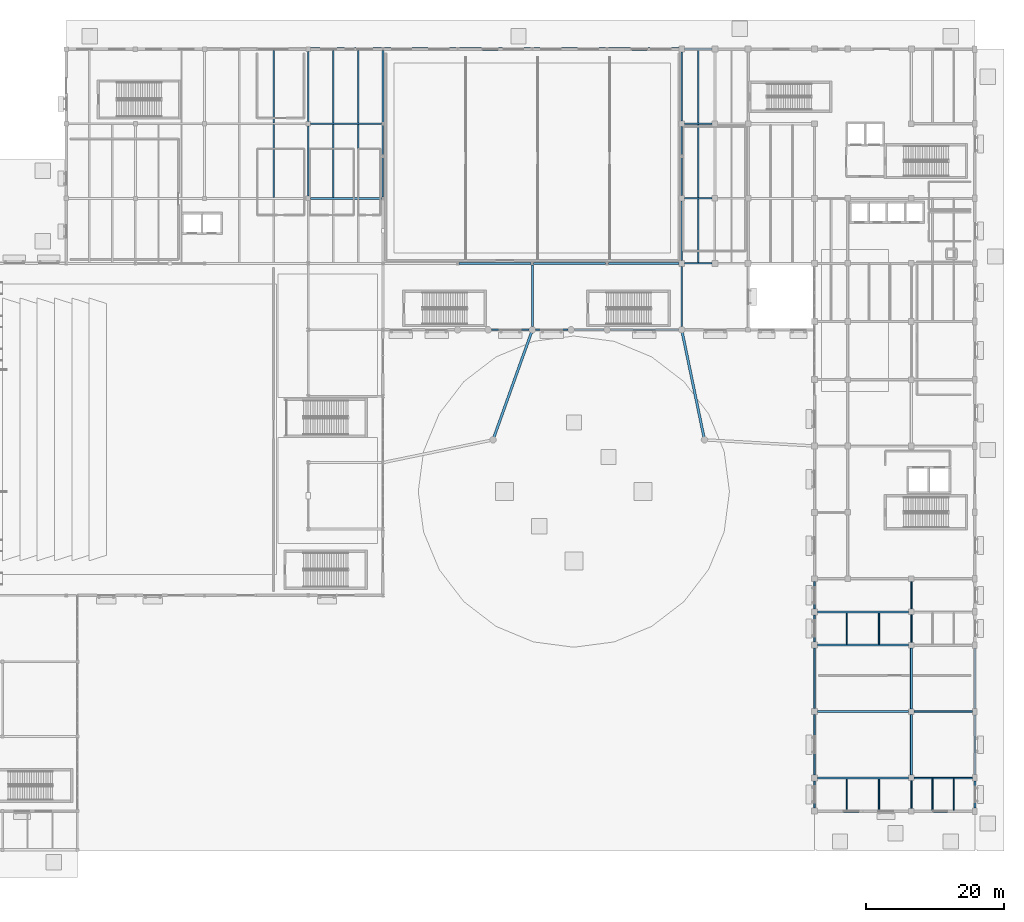
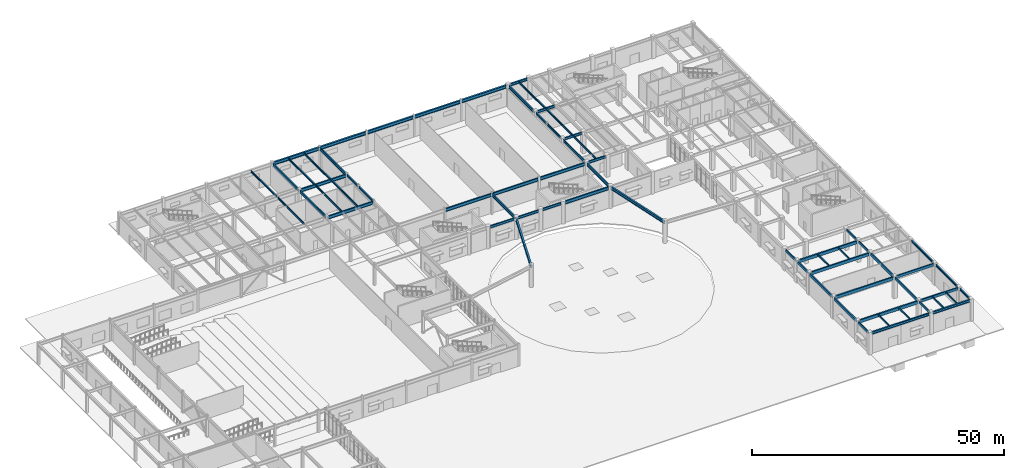
# One storey, part 17 of 54: 67 beams.
"""IFC4 building model written with IfcOpenShell, lengths in metres."""

from ifc_helpers import new_model, si_unit, direction, frame, origin, origin_2d, place, context, subcontext, project, spatial, rectangle, i_section, extrude, material, material_profile, profile_set, type_object, element, save


model = new_model("IFC4")

# Units and contexts
model_context = context("Model", 3, precision=1e-05, world=origin(), true_north=direction((0.0, 1.0)))
body_context = subcontext(model_context, "Body", "Model", "MODEL_VIEW")
ifc_project = project(units=[si_unit("LENGTHUNIT", "METRE"), si_unit("AREAUNIT", "SQUARE_METRE"), si_unit("VOLUMEUNIT", "CUBIC_METRE"), si_unit("PLANEANGLEUNIT", "RADIAN"), si_unit("MASSUNIT", "GRAM", prefix="KILO")], contexts=[model_context])

# Site, building, storey
site_placement = place(None, origin())
site = spatial("IfcSite", under=ifc_project, at=site_placement, CompositionType="ELEMENT")
building_placement = place(site_placement, origin())
building = spatial("IfcBuilding", under=site, at=building_placement, Name="Veldera Park Congress Hotel", CompositionType="ELEMENT")
storey_placement = place(building_placement, origin())
storey = spatial("IfcBuildingStorey", under=building, at=storey_placement, Name="L00", CompositionType="ELEMENT", Elevation=0.0)

# Beams
ifc_material_1 = material(Name="Glulam GL28h (NDS 24F-V4)", Category="wood")
ifc_material_profile_1 = material_profile(ifc_material_1, rectangle(XDim=0.239990234375, YDim=0.5400390625, at=origin_2d()), Name="GL28h 240x540")
ifc_profile_set_1 = profile_set([ifc_material_profile_1], Name="Glulam GL28h (NDS 24F-V4)")
beam_type_1 = type_object("IfcBeamType", Name="BM-GL540", PredefinedType="BEAM", material=ifc_profile_set_1)
for number, where, z_axis, x_axis, name in (
    (1, (60.800048828125, -51.77490234375, 4.85009765625), (0.0, 1.0, 0.0), (-1.0, 0.0, 0.0), "L00 Girder BM-GL540 451"),
    (2, (60.800048828125, -27.77490234375, 4.85009765625), (0.0, 1.0, 0.0), (-1.0, 0.0, 0.0), "L00 Girder BM-GL540 454"),
):
    element("IfcBeam", number, at=place(storey_placement, frame(where, z_axis=z_axis, x_axis=x_axis)), inside=storey, type_object=beam_type_1, Name=name, PredefinedType="BEAM", context=body_context, shape_type="SweptSolid", body=[
        extrude(rectangle(XDim=0.239990234375, YDim=0.5400390625, at=origin_2d()), origin(), (0.0, 0.0, 1.0), 3.949951171875),
    ])
beam_1_placement = place(storey_placement, frame((60.800048828125, -22.97509765625, 4.85009765625), z_axis=(0.0, 1.0, 0.0), x_axis=(-1.0, 0.0, 0.0)))
element("IfcBeam", 3, at=beam_1_placement, inside=storey, type_object=beam_type_1, Name="L00 Girder BM-GL540 455", PredefinedType="BEAM", context=body_context, shape_type="SweptSolid", body=[
    extrude(rectangle(XDim=0.239990234375, YDim=0.5400390625, at=origin_2d()), origin(), (0.0, 0.0, 1.0), 3.9501953125),
])
for number, where, z_axis, x_axis, name in (
    (4, (74.800048828125, -51.800048828125, 4.85009765625), (0.0, 1.0, 0.0), (-1.0, 0.0, 0.0), "L00 Girder BM-GL540 469"),
    (5, (74.800048828125, -27.800048828125, 4.85009765625), (0.0, 1.0, 0.0), (-1.0, 0.0, 0.0), "L00 Girder BM-GL540 472"),
    (6, (74.800048828125, -23.0, 4.85009765625), (0.0, 1.0, 0.0), (-1.0, 0.0, 0.0), "L00 Girder BM-GL540 473"),
):
    element("IfcBeam", number, at=place(storey_placement, frame(where, z_axis=z_axis, x_axis=x_axis)), inside=storey, type_object=beam_type_1, Name=name, PredefinedType="BEAM", context=body_context, shape_type="SweptSolid", body=[
        extrude(rectangle(XDim=0.239990234375, YDim=0.5400390625, at=origin_2d()), origin(), (0.0, 0.0, 1.0), 4.0),
    ])
ifc_material_profile_2 = material_profile(ifc_material_1, rectangle(XDim=0.264892578125, YDim=0.6201171875, at=origin_2d()), Name="GL28h 265x620")
ifc_profile_set_2 = profile_set([ifc_material_profile_2], Name="Glulam GL28h (NDS 24F-V4)")
beam_type_2 = type_object("IfcBeamType", Name="BM-GL620", PredefinedType="BEAM", material=ifc_profile_set_2)
for number, where, z_axis, x_axis, name in (
    (7, (75.199951171875, -47.39990234375, 4.81005859375), (1.0, 0.0, 0.0), (0.0, 1.0, 0.0), "L00 Girder BM-GL620 284"),
    (8, (75.199951171875, -37.800048828125, 4.81005859375), (1.0, 0.0, 0.0), (0.0, 1.0, 0.0), "L00 Girder BM-GL620 290"),
):
    element("IfcBeam", number, at=place(storey_placement, frame(where, z_axis=z_axis, x_axis=x_axis)), inside=storey, type_object=beam_type_2, Name=name, PredefinedType="BEAM", context=body_context, shape_type="SweptSolid", body=[
        extrude(rectangle(XDim=0.264892578125, YDim=0.6201171875, at=origin_2d()), origin(), (0.0, 0.0, 1.0), 8.47509765625),
    ])
ifc_material_profile_3 = material_profile(ifc_material_1, rectangle(XDim=0.280029296875, YDim=0.639892578125, at=origin_2d()), Name="GL28h 280x640")
ifc_profile_set_3 = profile_set([ifc_material_profile_3], Name="Glulam GL28h (NDS 24F-V4)")
beam_type_3 = type_object("IfcBeamType", Name="BM-GL640", PredefinedType="BEAM", material=ifc_profile_set_3)
for number, where, z_axis, x_axis, name in (
    (9, (60.800048828125, -46.97509765625, 4.800048828125), (0.0, 1.0, 0.0), (-1.0, 0.0, 0.0), "L00 Girder BM-GL640 452"),
    (10, (60.800048828125, -37.375, 4.800048828125), (0.0, 1.0, 0.0), (-1.0, 0.0, 0.0), "L00 Girder BM-GL640 453"),
):
    element("IfcBeam", number, at=place(storey_placement, frame(where, z_axis=z_axis, x_axis=x_axis)), inside=storey, type_object=beam_type_3, Name=name, PredefinedType="BEAM", context=body_context, shape_type="SweptSolid", body=[
        extrude(rectangle(XDim=0.280029296875, YDim=0.639892578125, at=origin_2d()), origin(), (0.0, 0.0, 1.0), 8.75),
    ])
beam_2_placement = place(storey_placement, frame((74.800048828125, -47.0, 4.800048828125), z_axis=(0.0, 1.0, 0.0), x_axis=(-1.0, 0.0, 0.0)))
element("IfcBeam", 11, at=beam_2_placement, inside=storey, type_object=beam_type_3, Name="L00 Girder BM-GL640 470", PredefinedType="BEAM", context=body_context, shape_type="SweptSolid", body=[
    extrude(rectangle(XDim=0.280029296875, YDim=0.639892578125, at=origin_2d()), origin(), (0.0, 0.0, 1.0), 8.800048828125),
])
beam_3_placement = place(storey_placement, frame((74.800048828125, -37.39990234375, 4.800048828125), z_axis=(0.0, 1.0, 0.0), x_axis=(-1.0, 0.0, 0.0)))
element("IfcBeam", 12, at=beam_3_placement, inside=storey, type_object=beam_type_3, Name="L00 Girder BM-GL640 471", PredefinedType="BEAM", context=body_context, shape_type="SweptSolid", body=[
    extrude(rectangle(XDim=0.280029296875, YDim=0.639892578125, at=origin_2d()), origin(), (0.0, 0.0, 1.0), 8.7998046875),
])
ifc_material_profile_4 = material_profile(ifc_material_1, rectangle(XDim=0.31494140625, YDim=0.719970703125, at=origin_2d()), Name="GL28h 315x720")
ifc_profile_set_4 = profile_set([ifc_material_profile_4], Name="Glulam GL28h (NDS 24F-V4)")
beam_type_4 = type_object("IfcBeamType", Name="BM-GL720", PredefinedType="BEAM", material=ifc_profile_set_4)
for number, where, z_axis, x_axis, name in (
    (13, (61.22509765625, -47.39990234375, 4.760009765625), (1.0, 0.0, 0.0), (0.0, 1.0, 0.0), "L00 Girder BM-GL720 283"),
    (14, (61.22509765625, -37.800048828125, 4.760009765625), (1.0, 0.0, 0.0), (0.0, 1.0, 0.0), "L00 Girder BM-GL720 289"),
    (15, (61.22509765625, -28.199951171875, 4.760009765625), (1.0, 0.0, 0.0), (0.0, 1.0, 0.0), "L00 Girder BM-GL720 295"),
    (16, (61.22509765625, -23.39990234375, 4.760009765625), (1.0, 0.0, 0.0), (0.0, 1.0, 0.0), "L00 Girder BM-GL720 297"),
):
    element("IfcBeam", number, at=place(storey_placement, frame(where, z_axis=z_axis, x_axis=x_axis)), inside=storey, type_object=beam_type_4, Name=name, PredefinedType="BEAM", context=body_context, shape_type="SweptSolid", body=[
        extrude(rectangle(XDim=0.31494140625, YDim=0.719970703125, at=origin_2d()), origin(), (0.0, 0.0, 1.0), 13.1748046875),
    ])
ifc_material_2 = material(Name="Steel ASTM A992 Gr.50", Category="steel")
ifc_material_profile_5 = material_profile(ifc_material_2, i_section(OverallWidth=0.214111328125, OverallDepth=0.549072265625, WebThickness=0.0146484375, FlangeThickness=0.023681640625, at=origin_2d()), Name="W21X93")
ifc_profile_set_5 = profile_set([ifc_material_profile_5], Name="Steel ASTM A992 Gr.50")
beam_type_5 = type_object("IfcBeamType", Name="BM-W21B", PredefinedType="BEAM", material=ifc_profile_set_5)
beam_4_placement = place(storey_placement, frame((-1.60009765625, 36.593505859375, 4.845458984375), z_axis=(0.0, 1.0, 0.0), x_axis=(-1.0, 0.0, 0.0)))
element("IfcBeam", 17, at=beam_4_placement, inside=storey, type_object=beam_type_5, Name="L00 Girder BM-W21B 435", PredefinedType="BEAM", context=body_context, shape_type="SweptSolid", body=[
    extrude(i_section(OverallWidth=0.214111328125, OverallDepth=0.549072265625, WebThickness=0.0146484375, FlangeThickness=0.023681640625, at=origin_2d()), origin(), (0.0, 0.0, 1.0), 5.712890625),
])
beam_5_placement = place(storey_placement, frame((-1.60009765625, 42.693603515625, 4.845458984375), z_axis=(0.0, 1.0, 0.0), x_axis=(-1.0, 0.0, 0.0)))
element("IfcBeam", 18, at=beam_5_placement, inside=storey, type_object=beam_type_5, Name="L00 Girder BM-W21B 436", PredefinedType="BEAM", context=body_context, shape_type="SweptSolid", body=[
    extrude(i_section(OverallWidth=0.214111328125, OverallDepth=0.549072265625, WebThickness=0.0146484375, FlangeThickness=0.023681640625, at=origin_2d()), origin(), (0.0, 0.0, 1.0), 4.31298828125),
])
beam_6_placement = place(storey_placement, frame((41.60009765625, 36.800048828125, 4.845458984375), z_axis=(0.0, 1.0, 0.0), x_axis=(-1.0, 0.0, 0.0)))
element("IfcBeam", 19, at=beam_6_placement, inside=storey, type_object=beam_type_5, Name="L00 Girder BM-W21B 441", PredefinedType="BEAM", context=body_context, shape_type="SweptSolid", body=[
    extrude(i_section(OverallWidth=0.214111328125, OverallDepth=0.549072265625, WebThickness=0.0146484375, FlangeThickness=0.023681640625, at=origin_2d()), origin(), (0.0, 0.0, 1.0), 5.50634765625),
])
beam_7_placement = place(storey_placement, frame((41.60009765625, 42.693603515625, 4.845458984375), z_axis=(0.0, 1.0, 0.0), x_axis=(-1.0, 0.0, 0.0)))
element("IfcBeam", 20, at=beam_7_placement, inside=storey, type_object=beam_type_5, Name="L00 Girder BM-W21B 442", PredefinedType="BEAM", context=body_context, shape_type="SweptSolid", body=[
    extrude(i_section(OverallWidth=0.214111328125, OverallDepth=0.549072265625, WebThickness=0.0146484375, FlangeThickness=0.023681640625, at=origin_2d()), origin(), (0.0, 0.0, 1.0), 4.1064453125),
])
ifc_material_profile_6 = material_profile(ifc_material_2, i_section(OverallWidth=0.22900390625, OverallDepth=0.612060546875, WebThickness=0.011962890625, FlangeThickness=0.01953125, at=origin_2d()), Name="W24X84")
ifc_profile_set_6 = profile_set([ifc_material_profile_6], Name="Steel ASTM A992 Gr.50")
beam_type_6 = type_object("IfcBeamType", Name="BM-W24", PredefinedType="BEAM", material=ifc_profile_set_6)
beam_8_placement = place(storey_placement, frame((14.074951171875, 17.39990234375, 4.81396484375), z_axis=(1.0, 0.0, 0.0), x_axis=(0.0, 1.0, 0.0)))
element("IfcBeam", 21, at=beam_8_placement, inside=storey, type_object=beam_type_6, Name="L00 Girder BM-W24 328", PredefinedType="BEAM", context=body_context, shape_type="SweptSolid", body=[
    extrude(i_section(OverallWidth=0.22900390625, OverallDepth=0.612060546875, WebThickness=0.011962890625, FlangeThickness=0.01953125, at=origin_2d()), origin(), (0.0, 0.0, 1.0), 5.449951171875),
])
beam_9_placement = place(storey_placement, frame((20.47509765625, 17.39990234375, 4.81396484375), z_axis=(1.0, 0.0, 0.0), x_axis=(0.0, 1.0, 0.0)))
element("IfcBeam", 22, at=beam_9_placement, inside=storey, type_object=beam_type_6, Name="L00 Girder BM-W24 329", PredefinedType="BEAM", context=body_context, shape_type="SweptSolid", body=[
    extrude(i_section(OverallWidth=0.22900390625, OverallDepth=0.612060546875, WebThickness=0.011962890625, FlangeThickness=0.01953125, at=origin_2d()), origin(), (0.0, 0.0, 1.0), 4.64990234375),
])
beam_10_placement = place(storey_placement, frame((26.074951171875, 17.39990234375, 4.81396484375), z_axis=(1.0, 0.0, 0.0), x_axis=(0.0, 1.0, 0.0)))
element("IfcBeam", 23, at=beam_10_placement, inside=storey, type_object=beam_type_6, Name="L00 Girder BM-W24 330", PredefinedType="BEAM", context=body_context, shape_type="SweptSolid", body=[
    extrude(i_section(OverallWidth=0.22900390625, OverallDepth=0.612060546875, WebThickness=0.011962890625, FlangeThickness=0.01953125, at=origin_2d()), origin(), (0.0, 0.0, 1.0), 4.25),
])
beam_11_placement = place(storey_placement, frame((42.02490234375, 27.0, 4.81396484375), z_axis=(1.0, 0.0, 0.0), x_axis=(0.0, 1.0, 0.0)))
element("IfcBeam", 24, at=beam_11_placement, inside=storey, type_object=beam_type_6, Name="L00 Girder BM-W24 347", PredefinedType="BEAM", context=body_context, shape_type="SweptSolid", body=[
    extrude(i_section(OverallWidth=0.22900390625, OverallDepth=0.612060546875, WebThickness=0.011962890625, FlangeThickness=0.01953125, at=origin_2d()), origin(), (0.0, 0.0, 1.0), 3.9501953125),
])
for number, where, z_axis, x_axis, name in (
    (25, (42.0, 36.39990234375, 4.81396484375), (1.0, 0.0, 0.0), (0.0, 1.0, 0.0), "L00 Girder BM-W24 357"),
    (26, (42.0, 47.199951171875, 4.81396484375), (1.0, 0.0, 0.0), (0.0, 1.0, 0.0), "L00 Girder BM-W24 367"),
):
    element("IfcBeam", number, at=place(storey_placement, frame(where, z_axis=z_axis, x_axis=x_axis)), inside=storey, type_object=beam_type_6, Name=name, PredefinedType="BEAM", context=body_context, shape_type="SweptSolid", body=[
        extrude(i_section(OverallWidth=0.22900390625, OverallDepth=0.612060546875, WebThickness=0.011962890625, FlangeThickness=0.01953125, at=origin_2d()), origin(), (0.0, 0.0, 1.0), 4.0),
    ])
ifc_material_profile_7 = material_profile(ifc_material_2, i_section(OverallWidth=0.22998046875, OverallDepth=0.616943359375, WebThickness=0.01318359375, FlangeThickness=0.022216796875, at=origin_2d()), Name="W24X94")
ifc_profile_set_7 = profile_set([ifc_material_profile_7], Name="Steel ASTM A992 Gr.50")
beam_type_7 = type_object("IfcBeamType", Name="BM-W24B", PredefinedType="BEAM", material=ifc_profile_set_7)
beam_12_placement = place(storey_placement, frame((41.60009765625, 27.425048828125, 4.8115234375), z_axis=(0.0, 1.0, 0.0), x_axis=(-1.0, 0.0, 0.0)))
element("IfcBeam", 27, at=beam_12_placement, inside=storey, type_object=beam_type_7, Name="L00 Girder BM-W24B 440", PredefinedType="BEAM", context=body_context, shape_type="SweptSolid", body=[
    extrude(i_section(OverallWidth=0.22998046875, OverallDepth=0.616943359375, WebThickness=0.01318359375, FlangeThickness=0.022216796875, at=origin_2d()), origin(), (0.0, 0.0, 1.0), 8.574951171875),
])
ifc_material_profile_8 = material_profile(ifc_material_2, i_section(OverallWidth=0.323974609375, OverallDepth=0.612060546875, WebThickness=0.0126953125, FlangeThickness=0.01904296875, at=origin_2d()), Name="W24X104")
ifc_profile_set_8 = profile_set([ifc_material_profile_8], Name="Steel ASTM A992 Gr.50")
beam_type_8 = type_object("IfcBeamType", Name="BM-W24E", PredefinedType="BEAM", material=ifc_profile_set_8)
beam_13_placement = place(storey_placement, frame((42.02490234375, 58.0, 4.81396484375), z_axis=(1.0, 0.0, 0.0), x_axis=(0.0, 1.0, 0.0)))
element("IfcBeam", 28, at=beam_13_placement, inside=storey, type_object=beam_type_8, Name="L00 Girder BM-W24E 379", PredefinedType="BEAM", context=body_context, shape_type="SweptSolid", body=[
    extrude(i_section(OverallWidth=0.323974609375, OverallDepth=0.612060546875, WebThickness=0.0126953125, FlangeThickness=0.01904296875, at=origin_2d()), origin(), (0.0, 0.0, 1.0), 3.9501953125),
])
ifc_material_profile_9 = material_profile(ifc_material_2, i_section(OverallWidth=0.256103515625, OverallDepth=0.693115234375, WebThickness=0.014404296875, FlangeThickness=0.023681640625, at=origin_2d()), Name="W27X114")
ifc_profile_set_9 = profile_set([ifc_material_profile_9], Name="Steel ASTM A992 Gr.50")
beam_type_9 = type_object("IfcBeamType", Name="BM-W27", PredefinedType="BEAM", material=ifc_profile_set_9)
beam_14_placement = place(storey_placement, frame((-12.39990234375, 36.72509765625, 4.7734375), z_axis=(0.0, 1.0, 0.0), x_axis=(-1.0, 0.0, 0.0)))
element("IfcBeam", 29, at=beam_14_placement, inside=storey, type_object=beam_type_9, Name="L00 Girder BM-W27 427", PredefinedType="BEAM", context=body_context, shape_type="SweptSolid", body=[
    extrude(i_section(OverallWidth=0.256103515625, OverallDepth=0.693115234375, WebThickness=0.014404296875, FlangeThickness=0.023681640625, at=origin_2d()), origin(), (0.0, 0.0, 1.0), 10.14990234375),
])
beam_15_placement = place(storey_placement, frame((-12.39990234375, 47.52490234375, 4.7734375), z_axis=(0.0, 1.0, 0.0), x_axis=(-1.0, 0.0, 0.0)))
element("IfcBeam", 30, at=beam_15_placement, inside=storey, type_object=beam_type_9, Name="L00 Girder BM-W27 428", PredefinedType="BEAM", context=body_context, shape_type="SweptSolid", body=[
    extrude(i_section(OverallWidth=0.256103515625, OverallDepth=0.693115234375, WebThickness=0.014404296875, FlangeThickness=0.023681640625, at=origin_2d()), origin(), (0.0, 0.0, 1.0), 10.150146484375),
])
beam_16_placement = place(storey_placement, frame((-1.60009765625, 47.3935546875, 4.7734375), z_axis=(0.0, 1.0, 0.0), x_axis=(-1.0, 0.0, 0.0)))
element("IfcBeam", 31, at=beam_16_placement, inside=storey, type_object=beam_type_9, Name="L00 Girder BM-W27 437", PredefinedType="BEAM", context=body_context, shape_type="SweptSolid", body=[
    extrude(i_section(OverallWidth=0.256103515625, OverallDepth=0.693115234375, WebThickness=0.014404296875, FlangeThickness=0.023681640625, at=origin_2d()), origin(), (0.0, 0.0, 1.0), 10.409912109375),
])
beam_17_placement = place(storey_placement, frame((20.0, 17.875, 4.7734375), z_axis=(0.0, 1.0, 0.0), x_axis=(-1.0, 0.0, 0.0)))
element("IfcBeam", 32, at=beam_17_placement, inside=storey, type_object=beam_type_9, Name="L00 Girder BM-W27 438", PredefinedType="BEAM", context=body_context, shape_type="SweptSolid", body=[
    extrude(i_section(OverallWidth=0.256103515625, OverallDepth=0.693115234375, WebThickness=0.014404296875, FlangeThickness=0.023681640625, at=origin_2d()), origin(), (0.0, 0.0, 1.0), 8.931396484375),
])
beam_18_placement = place(storey_placement, frame((41.60009765625, 17.875, 4.7734375), z_axis=(0.0, 1.0, 0.0), x_axis=(-1.0, 0.0, 0.0)))
element("IfcBeam", 33, at=beam_18_placement, inside=storey, type_object=beam_type_9, Name="L00 Girder BM-W27 439", PredefinedType="BEAM", context=body_context, shape_type="SweptSolid", body=[
    extrude(i_section(OverallWidth=0.256103515625, OverallDepth=0.693115234375, WebThickness=0.014404296875, FlangeThickness=0.023681640625, at=origin_2d()), origin(), (0.0, 0.0, 1.0), 8.699951171875),
])
beam_19_placement = place(storey_placement, frame((41.60009765625, 47.60009765625, 4.7734375), z_axis=(0.0, 1.0, 0.0), x_axis=(-1.0, 0.0, 0.0)))
element("IfcBeam", 34, at=beam_19_placement, inside=storey, type_object=beam_type_9, Name="L00 Girder BM-W27 443", PredefinedType="BEAM", context=body_context, shape_type="SweptSolid", body=[
    extrude(i_section(OverallWidth=0.256103515625, OverallDepth=0.693115234375, WebThickness=0.014404296875, FlangeThickness=0.023681640625, at=origin_2d()), origin(), (0.0, 0.0, 1.0), 9.974853515625),
])
ifc_material_profile_10 = material_profile(ifc_material_2, i_section(OverallWidth=0.35498046875, OverallDepth=0.696044921875, WebThickness=0.015380859375, FlangeThickness=0.02490234375, at=origin_2d()), Name="W27X146")
ifc_profile_set_10 = profile_set([ifc_material_profile_10], Name="Steel ASTM A992 Gr.50")
beam_type_10 = type_object("IfcBeamType", Name="BM-W27E", PredefinedType="BEAM", material=ifc_profile_set_10)
beam_20_placement = place(storey_placement, frame((14.309814453125, 1.489990234375, 4.7900390625), z_axis=(0.336760153305, 0.94159046254, 0.0), x_axis=(-0.94159046254, 0.336760153305, 0.0)))
element("IfcBeam", 35, at=beam_20_placement, inside=storey, type_object=beam_type_10, Name="L00 Skybridge Support Girder B W", PredefinedType="BEAM", context=body_context, shape_type="SweptSolid", body=[
    extrude(i_section(OverallWidth=0.35498046875, OverallDepth=0.696044921875, WebThickness=0.015380859375, FlangeThickness=0.02490234375, at=origin_2d()), origin(), (0.0, 0.0, 1.0), 16.896728515625),
])
beam_21_placement = place(storey_placement, frame((44.89013671875, 1.489990234375, 4.7900390625), z_axis=(-0.202507214796, 0.979280770747, 0.0), x_axis=(-0.979280770747, -0.202507214796, 0.0)))
element("IfcBeam", 36, at=beam_21_placement, inside=storey, type_object=beam_type_10, Name="L00 Skybridge Support Girder B E", PredefinedType="BEAM", context=body_context, shape_type="SweptSolid", body=[
    extrude(i_section(OverallWidth=0.35498046875, OverallDepth=0.696044921875, WebThickness=0.015380859375, FlangeThickness=0.02490234375, at=origin_2d()), origin(), (0.0, 0.0, 1.0), 16.24658203125),
])
ifc_material_profile_11 = material_profile(ifc_material_2, i_section(OverallWidth=0.26708984375, OverallDepth=0.779052734375, WebThickness=0.0166015625, FlangeThickness=0.030029296875, at=origin_2d()), Name="W30X148")
ifc_profile_set_11 = profile_set([ifc_material_profile_11], Name="Steel ASTM A992 Gr.50")
beam_type_11 = type_object("IfcBeamType", Name="BM-W30", PredefinedType="BEAM", material=ifc_profile_set_11)
beam_22_placement = place(storey_placement, frame((31.27490234375, 17.39990234375, 4.73046875), z_axis=(1.0, 0.0, 0.0), x_axis=(0.0, 1.0, 0.0)))
element("IfcBeam", 37, at=beam_22_placement, inside=storey, type_object=beam_type_11, Name="L00 Girder BM-W30 331", PredefinedType="BEAM", context=body_context, shape_type="SweptSolid", body=[
    extrude(i_section(OverallWidth=0.26708984375, OverallDepth=0.779052734375, WebThickness=0.0166015625, FlangeThickness=0.030029296875, at=origin_2d()), origin(), (0.0, 0.0, 1.0), 9.85009765625),
])
for number, where, z_axis, x_axis, name in (
    (38, (9.3984375, 27.0, 4.73046875), (1.0, 0.0, 0.0), (0.0, 1.0, 0.0), "L00 Girder BM-W30 344"),
    (39, (20.198486328125, 27.0, 4.73046875), (1.0, 0.0, 0.0), (0.0, 1.0, 0.0), "L00 Girder BM-W30 345"),
):
    element("IfcBeam", number, at=place(storey_placement, frame(where, z_axis=z_axis, x_axis=x_axis)), inside=storey, type_object=beam_type_11, Name=name, PredefinedType="BEAM", context=body_context, shape_type="SweptSolid", body=[
        extrude(i_section(OverallWidth=0.26708984375, OverallDepth=0.779052734375, WebThickness=0.0166015625, FlangeThickness=0.030029296875, at=origin_2d()), origin(), (0.0, 0.0, 1.0), 10.403076171875),
    ])
beam_23_placement = place(storey_placement, frame((30.99853515625, 27.0, 4.73046875), z_axis=(1.0, 0.0, 0.0), x_axis=(0.0, 1.0, 0.0)))
element("IfcBeam", 40, at=beam_23_placement, inside=storey, type_object=beam_type_11, Name="L00 Girder BM-W30 346", PredefinedType="BEAM", context=body_context, shape_type="SweptSolid", body=[
    extrude(i_section(OverallWidth=0.26708984375, OverallDepth=0.779052734375, WebThickness=0.0166015625, FlangeThickness=0.030029296875, at=origin_2d()), origin(), (0.0, 0.0, 1.0), 10.176513671875),
])
for number, where, z_axis, x_axis, name in (
    (41, (-12.074951171875, 36.39990234375, 4.73046875), (1.0, 0.0, 0.0), (0.0, 1.0, 0.0), "L00 Girder BM-W30 356"),
    (42, (-12.074951171875, 47.199951171875, 4.73046875), (1.0, 0.0, 0.0), (0.0, 1.0, 0.0), "L00 Girder BM-W30 366"),
):
    element("IfcBeam", number, at=place(storey_placement, frame(where, z_axis=z_axis, x_axis=x_axis)), inside=storey, type_object=beam_type_11, Name=name, PredefinedType="BEAM", context=body_context, shape_type="SweptSolid", body=[
        extrude(i_section(OverallWidth=0.26708984375, OverallDepth=0.779052734375, WebThickness=0.0166015625, FlangeThickness=0.030029296875, at=origin_2d()), origin(), (0.0, 0.0, 1.0), 10.2763671875),
    ])
ifc_material_profile_12 = material_profile(ifc_material_2, i_section(OverallWidth=0.382080078125, OverallDepth=0.779052734375, WebThickness=0.01806640625, FlangeThickness=0.030029296875, at=origin_2d()), Name="W30X191")
ifc_profile_set_12 = profile_set([ifc_material_profile_12], Name="Steel ASTM A992 Gr.50")
beam_type_12 = type_object("IfcBeamType", Name="BM-W30E", PredefinedType="BEAM", material=ifc_profile_set_12)
beam_24_placement = place(storey_placement, frame((-12.074951171875, 58.0, 4.73046875), z_axis=(1.0, 0.0, 0.0), x_axis=(0.0, 1.0, 0.0)))
element("IfcBeam", 43, at=beam_24_placement, inside=storey, type_object=beam_type_12, Name="L00 Girder BM-W30E 374", PredefinedType="BEAM", context=body_context, shape_type="SweptSolid", body=[
    extrude(i_section(OverallWidth=0.382080078125, OverallDepth=0.779052734375, WebThickness=0.01806640625, FlangeThickness=0.030029296875, at=origin_2d()), origin(), (0.0, 0.0, 1.0), 10.275390625),
])
beam_25_placement = place(storey_placement, frame((-1.400390625, 58.0, 4.73046875), z_axis=(1.0, 0.0, 0.0), x_axis=(0.0, 1.0, 0.0)))
element("IfcBeam", 44, at=beam_25_placement, inside=storey, type_object=beam_type_12, Name="L00 Girder BM-W30E 375", PredefinedType="BEAM", context=body_context, shape_type="SweptSolid", body=[
    extrude(i_section(OverallWidth=0.382080078125, OverallDepth=0.779052734375, WebThickness=0.01806640625, FlangeThickness=0.030029296875, at=origin_2d()), origin(), (0.0, 0.0, 1.0), 10.40087890625),
])
for number, where, z_axis, x_axis, name in (
    (45, (9.3994140625, 58.0, 4.73046875), (1.0, 0.0, 0.0), (0.0, 1.0, 0.0), "L00 Girder BM-W30E 376"),
    (46, (20.199462890625, 58.0, 4.73046875), (1.0, 0.0, 0.0), (0.0, 1.0, 0.0), "L00 Girder BM-W30E 377"),
):
    element("IfcBeam", number, at=place(storey_placement, frame(where, z_axis=z_axis, x_axis=x_axis)), inside=storey, type_object=beam_type_12, Name=name, PredefinedType="BEAM", context=body_context, shape_type="SweptSolid", body=[
        extrude(i_section(OverallWidth=0.382080078125, OverallDepth=0.779052734375, WebThickness=0.01806640625, FlangeThickness=0.030029296875, at=origin_2d()), origin(), (0.0, 0.0, 1.0), 10.401123046875),
    ])
beam_26_placement = place(storey_placement, frame((30.99951171875, 58.0, 4.73046875), z_axis=(1.0, 0.0, 0.0), x_axis=(0.0, 1.0, 0.0)))
element("IfcBeam", 47, at=beam_26_placement, inside=storey, type_object=beam_type_12, Name="L00 Girder BM-W30E 378", PredefinedType="BEAM", context=body_context, shape_type="SweptSolid", body=[
    extrude(i_section(OverallWidth=0.382080078125, OverallDepth=0.779052734375, WebThickness=0.01806640625, FlangeThickness=0.030029296875, at=origin_2d()), origin(), (0.0, 0.0, 1.0), 10.175537109375),
])
ifc_material_profile_13 = material_profile(ifc_material_1, rectangle(XDim=0.179931640625, YDim=0.360107421875, at=origin_2d()), Name="GL28h 180x360")
ifc_profile_set_13 = profile_set([ifc_material_profile_13], Name="Glulam GL28h (NDS 24F-V4)")
beam_type_13 = type_object("IfcBeamType", Name="JST-GL360", PredefinedType="JOIST", material=ifc_profile_set_13)
for number, where, z_axis, x_axis, name in (
    (48, (65.466796875, -52.0380859375, 4.93994140625), (0.0, 1.0, 0.0), (-1.0, 0.0, 0.0), "L00 Floor Joist JST-GL360 497"),
    (49, (70.13330078125, -52.0380859375, 4.93994140625), (0.0, 1.0, 0.0), (-1.0, 0.0, 0.0), "L00 Floor Joist JST-GL360 498"),
):
    element("IfcBeam", number, at=place(storey_placement, frame(where, z_axis=z_axis, x_axis=x_axis)), inside=storey, type_object=beam_type_13, Name=name, PredefinedType="JOIST", context=body_context, shape_type="SweptSolid", body=[
        extrude(rectangle(XDim=0.179931640625, YDim=0.360107421875, at=origin_2d()), origin(), (0.0, 0.0, 1.0), 4.48046875),
    ])
for number, where, z_axis, x_axis, name in (
    (50, (77.86669921875, -52.0380859375, 4.93994140625), (0.0, 1.0, 0.0), (-1.0, 0.0, 0.0), "L00 Floor Joist JST-GL360 499"),
    (51, (80.933349609375, -52.0380859375, 4.93994140625), (0.0, 1.0, 0.0), (-1.0, 0.0, 0.0), "L00 Floor Joist JST-GL360 500"),
):
    element("IfcBeam", number, at=place(storey_placement, frame(where, z_axis=z_axis, x_axis=x_axis)), inside=storey, type_object=beam_type_13, Name=name, PredefinedType="JOIST", context=body_context, shape_type="SweptSolid", body=[
        extrude(rectangle(XDim=0.179931640625, YDim=0.360107421875, at=origin_2d()), origin(), (0.0, 0.0, 1.0), 4.505615234375),
    ])
for number, where, z_axis, x_axis, name in (
    (52, (65.466796875, -28.04248046875, 4.93994140625), (0.0, 1.0, 0.0), (-1.0, 0.0, 0.0), "L00 Floor Joist JST-GL360 501"),
    (53, (70.13330078125, -28.04248046875, 4.93994140625), (0.0, 1.0, 0.0), (-1.0, 0.0, 0.0), "L00 Floor Joist JST-GL360 502"),
):
    element("IfcBeam", number, at=place(storey_placement, frame(where, z_axis=z_axis, x_axis=x_axis)), inside=storey, type_object=beam_type_13, Name=name, PredefinedType="JOIST", context=body_context, shape_type="SweptSolid", body=[
        extrude(rectangle(XDim=0.179931640625, YDim=0.360107421875, at=origin_2d()), origin(), (0.0, 0.0, 1.0), 4.48486328125),
    ])
ifc_material_profile_14 = material_profile(ifc_material_2, i_section(OverallWidth=0.19091796875, OverallDepth=0.45703125, WebThickness=0.009033203125, FlangeThickness=0.014404296875, at=origin_2d()), Name="W18X50")
ifc_profile_set_14 = profile_set([ifc_material_profile_14], Name="Steel ASTM A992 Gr.50")
beam_type_14 = type_object("IfcBeamType", Name="JST-W18", PredefinedType="JOIST", material=ifc_profile_set_14)
beam_27_placement = place(storey_placement, frame((44.0, 27.114501953125, 4.8916015625), z_axis=(0.0, 1.0, 0.0), x_axis=(-1.0, 0.0, 0.0)))
element("IfcBeam", 54, at=beam_27_placement, inside=storey, type_object=beam_type_14, Name="L00 Floor Joist JST-W18 518", PredefinedType="JOIST", context=body_context, shape_type="SweptSolid", body=[
    extrude(i_section(OverallWidth=0.19091796875, OverallDepth=0.45703125, WebThickness=0.009033203125, FlangeThickness=0.014404296875, at=origin_2d()), origin(), (0.0, 0.0, 1.0), 9.1708984375),
])
for number, where, z_axis, x_axis, name in (
    (55, (-17.39990234375, 36.533447265625, 4.8916015625), (0.0, 1.0, 0.0), (-1.0, 0.0, 0.0), "L00 Floor Joist JST-W18 530"),
    (56, (-8.800048828125, 36.533447265625, 4.8916015625), (0.0, 1.0, 0.0), (-1.0, 0.0, 0.0), "L00 Floor Joist JST-W18 531"),
    (57, (-5.199951171875, 36.533447265625, 4.8916015625), (0.0, 1.0, 0.0), (-1.0, 0.0, 0.0), "L00 Floor Joist JST-W18 532"),
):
    element("IfcBeam", number, at=place(storey_placement, frame(where, z_axis=z_axis, x_axis=x_axis)), inside=storey, type_object=beam_type_14, Name=name, PredefinedType="JOIST", context=body_context, shape_type="SweptSolid", body=[
        extrude(i_section(OverallWidth=0.19091796875, OverallDepth=0.45703125, WebThickness=0.009033203125, FlangeThickness=0.014404296875, at=origin_2d()), origin(), (0.0, 0.0, 1.0), 10.532958984375),
    ])
beam_28_placement = place(storey_placement, frame((44.0, 36.514404296875, 4.8916015625), z_axis=(0.0, 1.0, 0.0), x_axis=(-1.0, 0.0, 0.0)))
element("IfcBeam", 58, at=beam_28_placement, inside=storey, type_object=beam_type_14, Name="L00 Floor Joist JST-W18 533", PredefinedType="JOIST", context=body_context, shape_type="SweptSolid", body=[
    extrude(i_section(OverallWidth=0.19091796875, OverallDepth=0.45703125, WebThickness=0.009033203125, FlangeThickness=0.014404296875, at=origin_2d()), origin(), (0.0, 0.0, 1.0), 10.571044921875),
])
for number, where, z_axis, x_axis, name in (
    (59, (-17.39990234375, 47.33349609375, 4.8916015625), (0.0, 1.0, 0.0), (-1.0, 0.0, 0.0), "L00 Floor Joist JST-W18 540"),
    (60, (-8.800048828125, 47.33349609375, 4.8916015625), (0.0, 1.0, 0.0), (-1.0, 0.0, 0.0), "L00 Floor Joist JST-W18 541"),
    (61, (-5.199951171875, 47.33349609375, 4.8916015625), (0.0, 1.0, 0.0), (-1.0, 0.0, 0.0), "L00 Floor Joist JST-W18 542"),
):
    element("IfcBeam", number, at=place(storey_placement, frame(where, z_axis=z_axis, x_axis=x_axis)), inside=storey, type_object=beam_type_14, Name=name, PredefinedType="JOIST", context=body_context, shape_type="SweptSolid", body=[
        extrude(i_section(OverallWidth=0.19091796875, OverallDepth=0.45703125, WebThickness=0.009033203125, FlangeThickness=0.014404296875, at=origin_2d()), origin(), (0.0, 0.0, 1.0), 10.4755859375),
    ])
beam_29_placement = place(storey_placement, frame((44.0, 47.314453125, 4.8916015625), z_axis=(0.0, 1.0, 0.0), x_axis=(-1.0, 0.0, 0.0)))
element("IfcBeam", 62, at=beam_29_placement, inside=storey, type_object=beam_type_14, Name="L00 Floor Joist JST-W18 543", PredefinedType="JOIST", context=body_context, shape_type="SweptSolid", body=[
    extrude(i_section(OverallWidth=0.19091796875, OverallDepth=0.45703125, WebThickness=0.009033203125, FlangeThickness=0.014404296875, at=origin_2d()), origin(), (0.0, 0.0, 1.0), 10.5234375),
])
ifc_material_profile_15 = material_profile(ifc_material_2, i_section(OverallWidth=0.280029296875, OverallDepth=0.462890625, WebThickness=0.0107421875, FlangeThickness=0.017333984375, at=origin_2d()), Name="W18X76")
ifc_profile_set_15 = profile_set([ifc_material_profile_15], Name="Steel ASTM A992 Gr.50")
beam_type_15 = type_object("IfcBeamType", Name="SPN-W18E", PredefinedType="SPANDREL", material=ifc_profile_set_15)
beam_30_placement = place(storey_placement, frame((84.0, -51.72509765625, 4.888427734375), z_axis=(0.0, 1.0, 0.0), x_axis=(-1.0, 0.0, 0.0)))
element("IfcBeam", 63, at=beam_30_placement, inside=storey, type_object=beam_type_15, Name="L00 Girder SPN-W18E 478", PredefinedType="SPANDREL", context=body_context, shape_type="SweptSolid", body=[
    extrude(i_section(OverallWidth=0.280029296875, OverallDepth=0.462890625, WebThickness=0.0107421875, FlangeThickness=0.017333984375, at=origin_2d()), origin(), (0.0, 0.0, 1.0), 3.85009765625),
])
beam_31_placement = place(storey_placement, frame((84.0, -46.925048828125, 4.888427734375), z_axis=(0.0, 1.0, 0.0), x_axis=(-1.0, 0.0, 0.0)))
element("IfcBeam", 64, at=beam_31_placement, inside=storey, type_object=beam_type_15, Name="L00 Girder SPN-W18E 479", PredefinedType="SPANDREL", context=body_context, shape_type="SweptSolid", body=[
    extrude(i_section(OverallWidth=0.280029296875, OverallDepth=0.462890625, WebThickness=0.0107421875, FlangeThickness=0.017333984375, at=origin_2d()), origin(), (0.0, 0.0, 1.0), 8.650146484375),
])
beam_32_placement = place(storey_placement, frame((84.0, -37.324951171875, 4.888427734375), z_axis=(0.0, 1.0, 0.0), x_axis=(-1.0, 0.0, 0.0)))
element("IfcBeam", 65, at=beam_32_placement, inside=storey, type_object=beam_type_15, Name="L00 Girder SPN-W18E 480", PredefinedType="SPANDREL", context=body_context, shape_type="SweptSolid", body=[
    extrude(i_section(OverallWidth=0.280029296875, OverallDepth=0.462890625, WebThickness=0.0107421875, FlangeThickness=0.017333984375, at=origin_2d()), origin(), (0.0, 0.0, 1.0), 8.64990234375),
])
ifc_material_profile_16 = material_profile(ifc_material_2, i_section(OverallWidth=0.323974609375, OverallDepth=0.612060546875, WebThickness=0.0126953125, FlangeThickness=0.01904296875, at=origin_2d()), Name="W24X104")
ifc_profile_set_16 = profile_set([ifc_material_profile_16], Name="Steel ASTM A992 Gr.50")
beam_type_16 = type_object("IfcBeamType", Name="SPN-W24E", PredefinedType="SPANDREL", material=ifc_profile_set_16)
beam_33_placement = place(storey_placement, frame((61.22509765625, -52.199951171875, 4.81396484375), z_axis=(1.0, 0.0, 0.0), x_axis=(0.0, 1.0, 0.0)))
element("IfcBeam", 66, at=beam_33_placement, inside=storey, type_object=beam_type_16, Name="L00 Girder SPN-W24E 281", PredefinedType="SPANDREL", context=body_context, shape_type="SweptSolid", body=[
    extrude(i_section(OverallWidth=0.323974609375, OverallDepth=0.612060546875, WebThickness=0.0126953125, FlangeThickness=0.01904296875, at=origin_2d()), origin(), (0.0, 0.0, 1.0), 13.1748046875),
])
beam_34_placement = place(storey_placement, frame((75.199951171875, -52.199951171875, 4.81396484375), z_axis=(1.0, 0.0, 0.0), x_axis=(0.0, 1.0, 0.0)))
element("IfcBeam", 67, at=beam_34_placement, inside=storey, type_object=beam_type_16, Name="L00 Girder SPN-W24E 282", PredefinedType="SPANDREL", context=body_context, shape_type="SweptSolid", body=[
    extrude(i_section(OverallWidth=0.323974609375, OverallDepth=0.612060546875, WebThickness=0.0126953125, FlangeThickness=0.01904296875, at=origin_2d()), origin(), (0.0, 0.0, 1.0), 8.47509765625),
])

save(model, "model.ifc")
